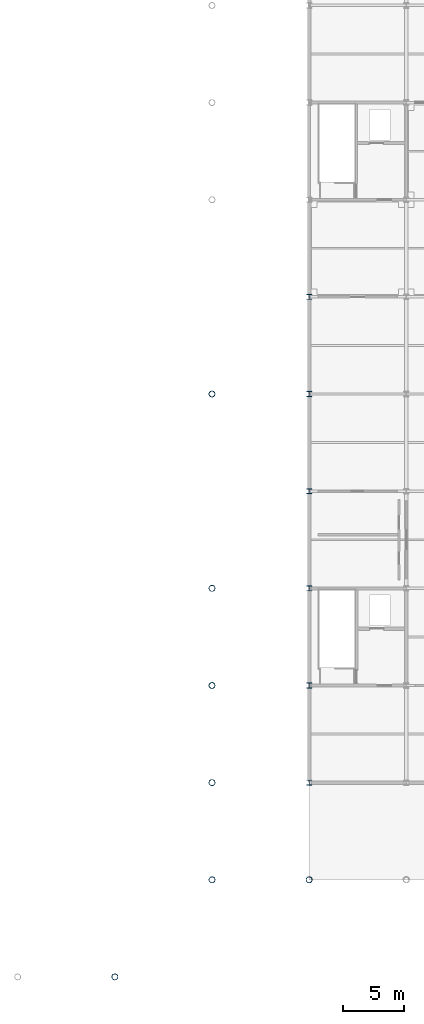
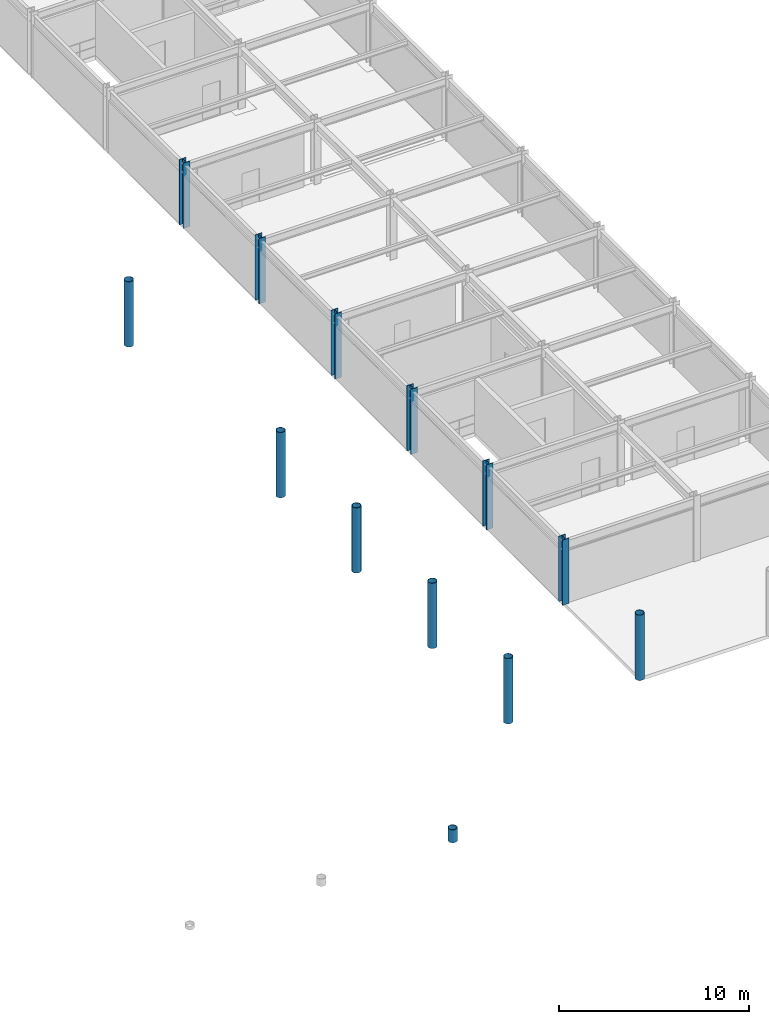
# One storey, part 3 of 54: 13 columns.
"""IFC4 building model written with IfcOpenShell, lengths in metres."""

from ifc_helpers import new_model, si_unit, direction, frame, origin, origin_2d, place, context, subcontext, project, spatial, hollow_circle, i_section, extrude, material, material_profile, profile_set, type_object, element, save


model = new_model("IFC4")

# Units and contexts
model_context = context("Model", 3, precision=1e-05, world=origin(), true_north=direction((0.0, 1.0)))
body_context = subcontext(model_context, "Body", "Model", "MODEL_VIEW")
ifc_project = project(units=[si_unit("LENGTHUNIT", "METRE"), si_unit("AREAUNIT", "SQUARE_METRE"), si_unit("VOLUMEUNIT", "CUBIC_METRE"), si_unit("PLANEANGLEUNIT", "RADIAN"), si_unit("MASSUNIT", "GRAM", prefix="KILO")], contexts=[model_context])

# Site, building, storey
site_placement = place(None, origin())
site = spatial("IfcSite", under=ifc_project, at=site_placement, CompositionType="ELEMENT")
building_placement = place(site_placement, origin())
building = spatial("IfcBuilding", under=site, at=building_placement, Name="Haebicheon Civic Stadium", CompositionType="ELEMENT")
storey_placement = place(building_placement, frame((0.0, 0.0, 22.800048828125)))
storey = spatial("IfcBuildingStorey", under=building, at=storey_placement, Name="L06", CompositionType="ELEMENT", Elevation=22.800048828125)

# Columns
ifc_material_1 = material(Name="White painted steel SM490", Category="steel")
ifc_material_profile_1 = material_profile(ifc_material_1, hollow_circle(Radius=0.25390625, WallThickness=0.02490234375, at=origin_2d()), Name="CHS-508.0x25.0")
ifc_profile_set_1 = profile_set([ifc_material_profile_1], Name="White painted steel SM490")
column_type_1 = type_object("IfcColumnType", Name="COL-ST-CHS508", PredefinedType="COLUMN", material=ifc_profile_set_1)
for number, where, z_axis, x_axis, name in (
    (1, (144.0, 48.0, 0.0), (0.0, 0.0, 1.0), (1.0, 0.0, 0.0), "Bowl/canopy support column 144/48 (L06)"),
    (2, (136.0, 48.0, 0.0), (0.0, 0.0, 1.0), (1.0, 0.0, 0.0), "Bowl/canopy support column 136/48 (L06)"),
    (3, (136.0, 56.0, 0.0), (0.0, 0.0, 1.0), (1.0, 0.0, 0.0), "Bowl/canopy support column 136/56 (L06)"),
    (4, (136.0, 64.0, 0.0), (0.0, 0.0, 1.0), (1.0, 0.0, 0.0), "Bowl/canopy support column 136/64 (L06)"),
    (5, (136.0, 72.0, 0.0), (0.0, 0.0, 1.0), (1.0, 0.0, 0.0), "Bowl/canopy support column 136/72 (L06)"),
    (6, (136.0, 88.0, 0.0), (0.0, 0.0, 1.0), (1.0, 0.0, 0.0), "Bowl/canopy support column 136/88 (L06)"),
):
    element("IfcColumn", number, at=place(storey_placement, frame(where, z_axis=z_axis, x_axis=x_axis)), inside=storey, type_object=column_type_1, material=ifc_profile_set_1, Name=name, PredefinedType="COLUMN", context=body_context, shape_type="SweptSolid", body=[
        extrude(hollow_circle(Radius=0.25390625, WallThickness=0.02490234375, at=origin_2d()), origin(), (0.0, 0.0, 1.0), 4.199951171875),
    ])
column_placement = place(storey_placement, frame((128.0, 40.0, 0.0), z_axis=(0.0, 0.0, 1.0), x_axis=(1.0, 0.0, 0.0)))
element("IfcColumn", 7, at=column_placement, inside=storey, type_object=column_type_1, material=ifc_profile_set_1, Name="Bowl/canopy support column 128/40 (L06)", PredefinedType="COLUMN", context=body_context, shape_type="SweptSolid", body=[
    extrude(hollow_circle(Radius=0.25390625, WallThickness=0.02490234375, at=origin_2d()), origin(), (0.0, 0.0, 1.0), 0.826904296875),
])
ifc_material_2 = material(Name="Steel SM490", Category="steel")
ifc_material_profile_2 = material_profile(ifc_material_2, i_section(OverallWidth=0.406982421875, OverallDepth=0.427978515625, WebThickness=0.02001953125, FlangeThickness=0.034912109375, at=origin_2d()), Name="H-428x407x20x35")
ifc_profile_set_2 = profile_set([ifc_material_profile_2], Name="Steel SM490")
column_type_2 = type_object("IfcColumnType", Name="COL-ST-H428", PredefinedType="COLUMN", material=ifc_profile_set_2)
for number, where, z_axis, x_axis, name in (
    (8, (144.0, 56.0, 0.0), (0.0, 0.0, 1.0), (1.0, 0.0, 0.0), "L06 column 19/H"),
    (9, (144.0, 64.0, 0.0), (0.0, 0.0, 1.0), (1.0, 0.0, 0.0), "L06 column 19/J"),
    (10, (144.0, 72.0, 0.0), (0.0, 0.0, 1.0), (1.0, 0.0, 0.0), "L06 column 19/K"),
    (11, (144.0, 80.0, 0.0), (0.0, 0.0, 1.0), (1.0, 0.0, 0.0), "L06 column 19/L"),
    (12, (144.0, 88.0, 0.0), (0.0, 0.0, 1.0), (1.0, 0.0, 0.0), "L06 column 19/M"),
    (13, (144.0, 96.0, 0.0), (0.0, 0.0, 1.0), (1.0, 0.0, 0.0), "L06 column 19/N"),
):
    element("IfcColumn", number, at=place(storey_placement, frame(where, z_axis=z_axis, x_axis=x_axis)), inside=storey, type_object=column_type_2, material=ifc_profile_set_2, Name=name, PredefinedType="COLUMN", context=body_context, shape_type="SweptSolid", body=[
        extrude(i_section(OverallWidth=0.406982421875, OverallDepth=0.427978515625, WebThickness=0.02001953125, FlangeThickness=0.034912109375, at=origin_2d()), origin(), (0.0, 0.0, 1.0), 4.199951171875),
    ])

save(model, "model.ifc")
